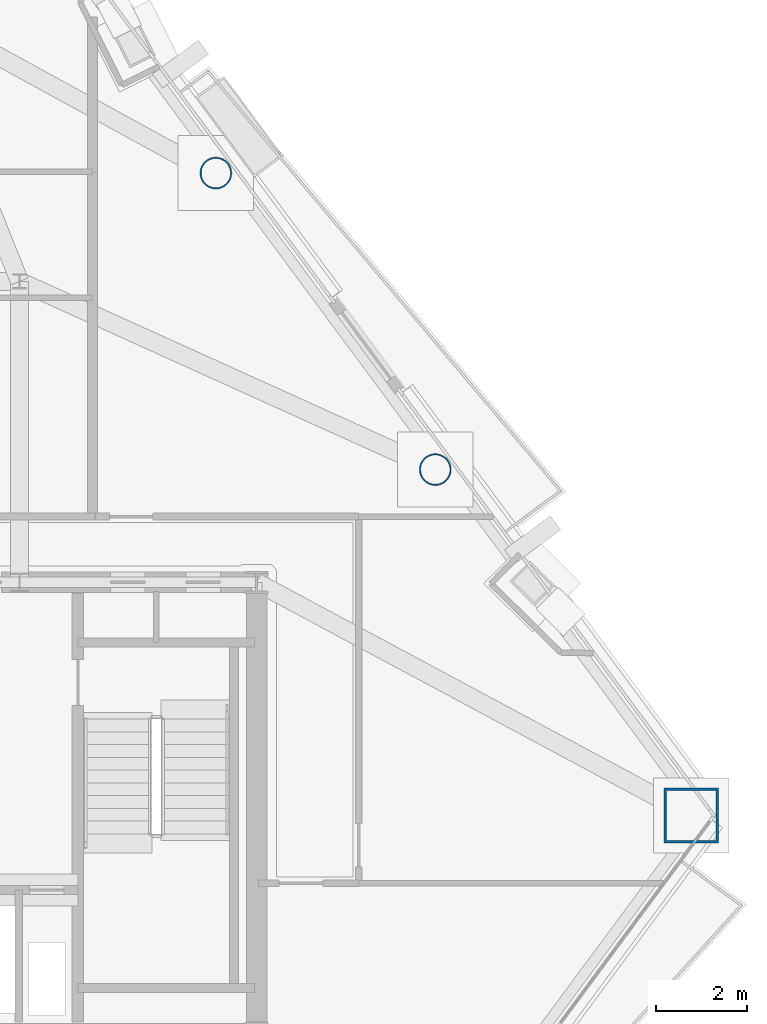
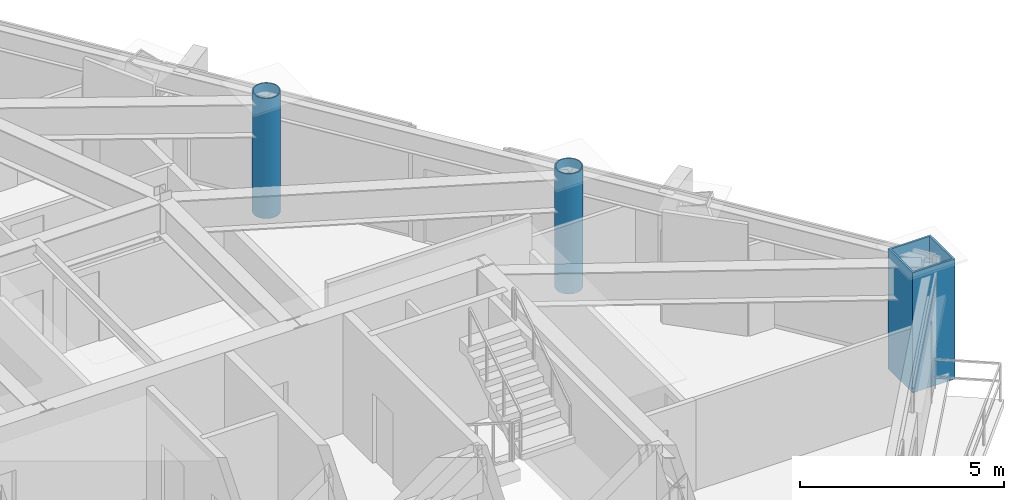
# One storey, part 2 of 11: 3 columns.
"""IFC4 building model written with IfcOpenShell, lengths in metres."""

from ifc_helpers import new_model, si_unit, direction, frame, origin, origin_2d, place, context, subcontext, project, spatial, hollow_rectangle, hollow_circle, extrude, material, material_profile, profile_set, type_object, element, save


model = new_model("IFC4")

# Units and contexts
model_context = context("Model", 3, precision=1e-05, world=origin(), true_north=direction((0.0, 1.0)))
body_context = subcontext(model_context, "Body", "Model", "MODEL_VIEW")
ifc_project = project(units=[si_unit("LENGTHUNIT", "METRE"), si_unit("AREAUNIT", "SQUARE_METRE"), si_unit("VOLUMEUNIT", "CUBIC_METRE"), si_unit("PLANEANGLEUNIT", "RADIAN"), si_unit("MASSUNIT", "GRAM", prefix="KILO")], contexts=[model_context])

# Site, building, storey
site_placement = place(None, origin())
site = spatial("IfcSite", under=ifc_project, at=site_placement, CompositionType="ELEMENT")
building_placement = place(site_placement, origin())
building = spatial("IfcBuilding", under=site, at=building_placement, Name="Talgorran Terracotta Tower", CompositionType="ELEMENT")
storey_placement = place(building_placement, frame((0.0, 0.0, 110.39990234375)))
storey = spatial("IfcBuildingStorey", under=building, at=storey_placement, Name="L28", CompositionType="ELEMENT", Elevation=110.39990234375)

# Columns
ifc_material = material(Name="Steel Grade 350 (350L0)", Category="steel")
ifc_material_profile_1 = material_profile(ifc_material, hollow_rectangle(XDim=1.199951171875, YDim=1.199951171875, WallThickness=0.054931640625, at=origin_2d()), Name="CFT1200X1200X55")
ifc_profile_set_1 = profile_set([ifc_material_profile_1], Name="Steel Grade 350 (350L0)")
column_type_1 = type_object("IfcColumnType", Name="COL_CFT_1200", PredefinedType="COLUMN", material=ifc_profile_set_1)
column_placement = place(storey_placement, frame((21.934326171875, -9.315673828125, 0.0), z_axis=(0.0, 0.0, 1.0), x_axis=(1.0, 0.0, 0.0)))
element("IfcColumn", 1, at=column_placement, inside=storey, type_object=column_type_1, Name="L28 Corner CFT Mega-Column MC4", PredefinedType="COLUMN", context=body_context, shape_type="SweptSolid", body=[
    extrude(hollow_rectangle(XDim=1.199951171875, YDim=1.199951171875, WallThickness=0.054931640625, at=origin_2d()), origin(), (0.0, 0.0, 1.0), 3.60009765625),
])
ifc_material_profile_2 = material_profile(ifc_material, hollow_circle(Radius=0.35009765625, WallThickness=0.030029296875, at=origin_2d()), Name="CHS700X30")
ifc_profile_set_2 = profile_set([ifc_material_profile_2], Name="Steel Grade 350 (350L0)")
column_type_2 = type_object("IfcColumnType", Name="COL_CHS_700", PredefinedType="COLUMN", material=ifc_profile_set_2)
for number, where, z_axis, x_axis, name in (
    (2, (16.31884765625, -1.728515625, 0.0), (0.0, 0.0, 1.0), (1.0, 0.0, 0.0), "L28 Facet Perimeter Column FC3"),
    (3, (11.505615234375, 4.77490234375, 0.0), (0.0, 0.0, 1.0), (1.0, 0.0, 0.0), "L28 Facet Perimeter Column FC4"),
):
    element("IfcColumn", number, at=place(storey_placement, frame(where, z_axis=z_axis, x_axis=x_axis)), inside=storey, type_object=column_type_2, Name=name, PredefinedType="COLUMN", context=body_context, shape_type="SweptSolid", body=[
        extrude(hollow_circle(Radius=0.35009765625, WallThickness=0.030029296875, at=origin_2d()), origin(), (0.0, 0.0, 1.0), 3.60009765625),
    ])

save(model, "model.ifc")
